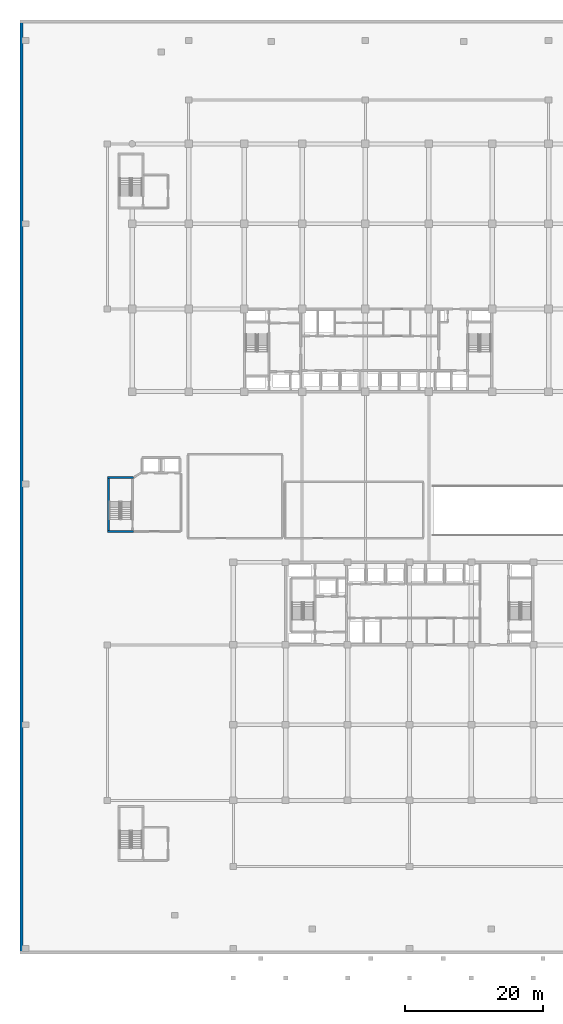
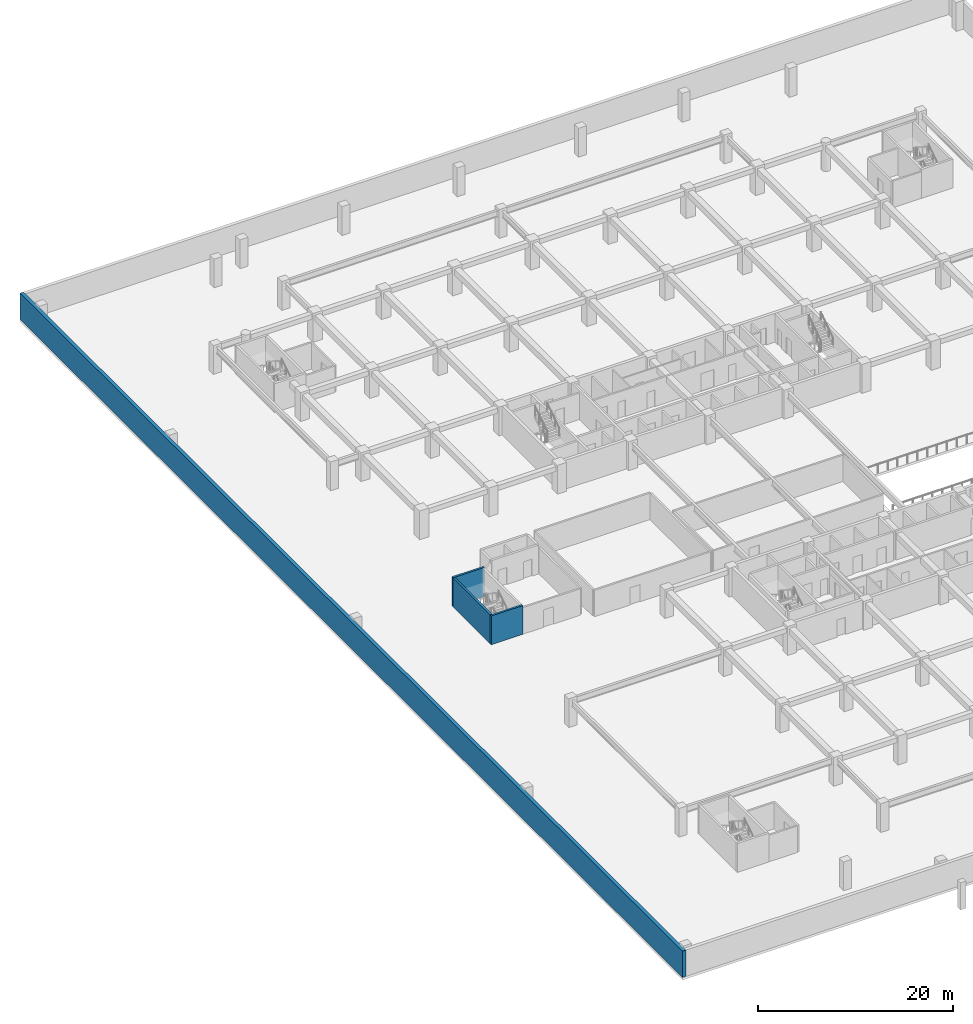
# One storey, part 8 of 23: 4 walls.
"""IFC4 building model written with IfcOpenShell, lengths in metres."""

from ifc_helpers import new_model, si_unit, direction, frame, frame_2d, origin, place, context, subcontext, project, spatial, rectangle, extrude, material, layer, layer_set, type_object, element, save


model = new_model("IFC4")

# Units and contexts
model_context = context("Model", 3, precision=1e-05, world=origin(), true_north=direction((0.0, 1.0)))
body_context = subcontext(model_context, "Body", "Model", "MODEL_VIEW")
ifc_project = project(units=[si_unit("LENGTHUNIT", "METRE"), si_unit("AREAUNIT", "SQUARE_METRE"), si_unit("VOLUMEUNIT", "CUBIC_METRE"), si_unit("PLANEANGLEUNIT", "RADIAN"), si_unit("MASSUNIT", "GRAM", prefix="KILO")], contexts=[model_context])

# Site, building, storey
site_placement = place(None, origin())
site = spatial("IfcSite", under=ifc_project, at=site_placement, CompositionType="ELEMENT")
building_placement = place(site_placement, origin())
building = spatial("IfcBuilding", under=site, at=building_placement, Name="Korimba Cascade Residences", CompositionType="ELEMENT")
storey_placement = place(building_placement, frame((0.0, 0.0, -3.60009765625)))
storey = spatial("IfcBuildingStorey", under=building, at=storey_placement, Name="B01", CompositionType="ELEMENT", Elevation=-3.60009765625)

# Walls
ifc_material = material(Name="Concrete C50/60", Category="concrete")
ifc_layer_1 = layer(ifc_material, 0.39990234375)
ifc_layer_set_1 = layer_set([ifc_layer_1], Name="Concrete C50/60")
wall_type_1 = type_object("IfcWallType", Name="EW-RET-400", PredefinedType="USERDEFINED", material=ifc_layer_set_1)
wall_1_placement = place(storey_placement, frame((43.699951171875, 109.199951171875, 0.0), z_axis=(0.0, 0.0, 1.0), x_axis=(0.0, -1.0, 0.0)))
element("IfcWall", 1, at=wall_1_placement, inside=storey, type_object=wall_type_1, Name="B01 Basement Retaining Wall W", ObjectType="RETAININGWALL", PredefinedType="USERDEFINED", context=body_context, shape_type="SweptSolid", body=[
    extrude(rectangle(XDim=135.699951171875, YDim=0.39990234375, at=frame_2d((67.85009765625, 0.0))), origin(), (0.0, 0.0, 1.0), 3.300048828125),
])
ifc_layer_2 = layer(ifc_material, 0.25)
ifc_layer_set_2 = layer_set([ifc_layer_2], Name="Concrete C50/60")
wall_type_2 = type_object("IfcWallType", Name="WAL-SHAFT-250", PredefinedType="SHEAR", material=ifc_layer_set_2)
wall_2_placement = place(storey_placement, frame((56.375, 35.0, 0.0), z_axis=(0.0, 0.0, 1.0), x_axis=(0.0, 1.0, 0.0)))
element("IfcWall", 2, at=wall_2_placement, inside=storey, type_object=wall_type_2, Name="B01 Core Shear Wall CW-B01-STP1W", PredefinedType="SHEAR", context=body_context, shape_type="SweptSolid", body=[
    extrude(rectangle(XDim=7.60009765625, YDim=0.25, at=frame_2d((3.800048828125, 0.0))), origin(), (0.0, 0.0, 1.0), 3.60009765625),
])
for number, where, z_axis, x_axis, name in (
    (3, (56.25, 42.72509765625, 0.0), (0.0, 0.0, 1.0), (1.0, 0.0, 0.0), "B01 Core Shear Wall CW-B01-STP1N"),
    (4, (56.25, 34.875, 0.0), (0.0, 0.0, 1.0), (1.0, 0.0, 0.0), "B01 Core Shear Wall CW-B01-STP1S"),
):
    element("IfcWall", number, at=place(storey_placement, frame(where, z_axis=z_axis, x_axis=x_axis)), inside=storey, type_object=wall_type_2, Name=name, PredefinedType="SHEAR", context=body_context, shape_type="SweptSolid", body=[
        extrude(rectangle(XDim=3.739990234375, YDim=0.25, at=frame_2d((1.8701171875, 0.0))), origin(), (0.0, 0.0, 1.0), 3.60009765625),
    ])

save(model, "model.ifc")
